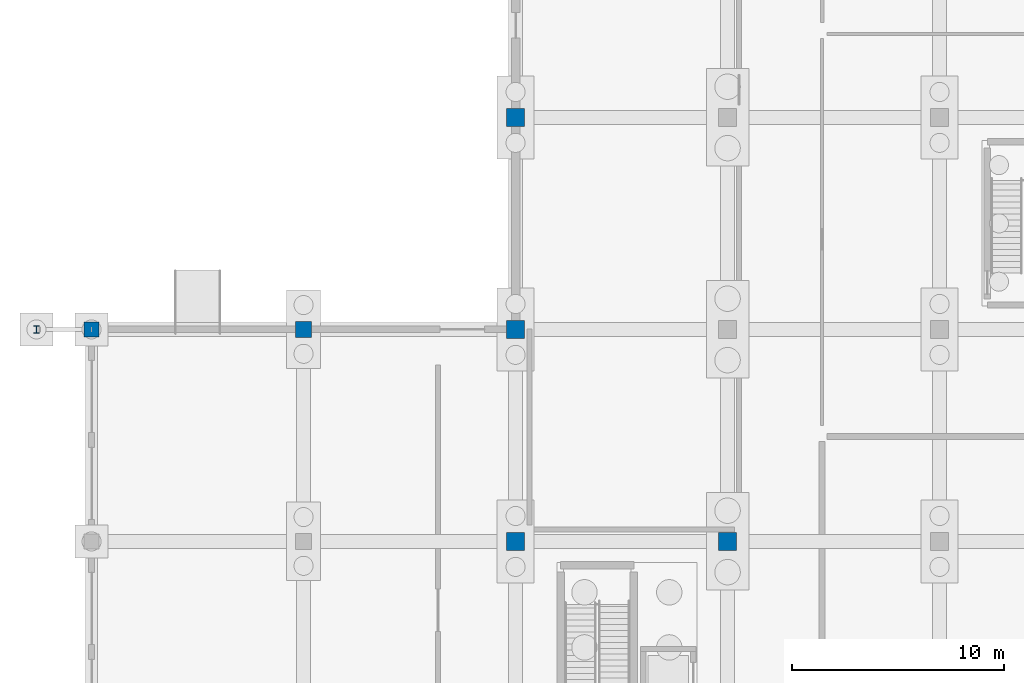
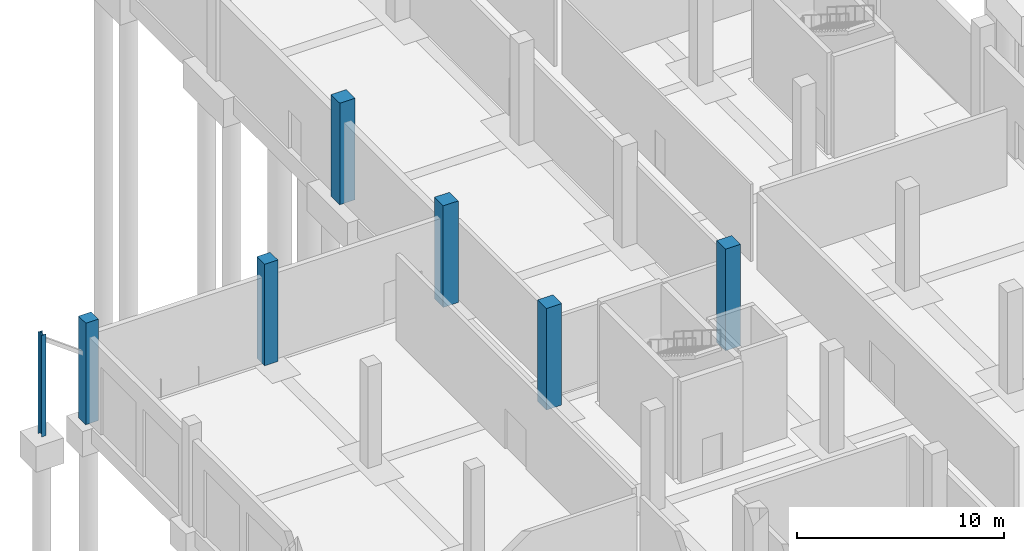
# One storey, part 20 of 140: 7 columns.
"""IFC4 building model written with IfcOpenShell, lengths in metres."""

from ifc_helpers import new_model, si_unit, direction, frame, origin, origin_2d, place, context, subcontext, project, spatial, rectangle, i_section, extrude, material, material_profile, profile_set, type_object, element, save


model = new_model("IFC4")

# Units and contexts
model_context = context("Model", 3, precision=1e-05, world=origin(), true_north=direction((0.0, 1.0)))
body_context = subcontext(model_context, "Body", "Model", "MODEL_VIEW")
ifc_project = project(units=[si_unit("LENGTHUNIT", "METRE"), si_unit("AREAUNIT", "SQUARE_METRE"), si_unit("VOLUMEUNIT", "CUBIC_METRE"), si_unit("PLANEANGLEUNIT", "RADIAN"), si_unit("MASSUNIT", "GRAM", prefix="KILO")], contexts=[model_context])

# Site, building, storey
site_placement = place(None, origin())
site = spatial("IfcSite", under=ifc_project, at=site_placement, CompositionType="ELEMENT")
building_placement = place(site_placement, origin())
building = spatial("IfcBuilding", under=site, at=building_placement, Name="Corvandel Quay Wholesale Market", CompositionType="ELEMENT")
storey_placement = place(building_placement, origin())
storey = spatial("IfcBuildingStorey", under=building, at=storey_placement, Name="L00", CompositionType="ELEMENT", Elevation=0.0)

# Columns
ifc_material_1 = material(Name="Precast concrete C45/55", Category="concrete")
ifc_material_profile_1 = material_profile(ifc_material_1, rectangle(XDim=0.85009765625, YDim=0.85009765625, at=origin_2d()), Name="PC-COL-850x850")
ifc_profile_set_1 = profile_set([ifc_material_profile_1], Name="Precast concrete C45/55")
column_type_1 = type_object("IfcColumnType", Name="Precast Column C01 850x850", PredefinedType="COLUMN", material=ifc_profile_set_1)
for number, where, z_axis, x_axis, name in (
    (1, (20.0, 100.0, 0.0), (0.0, 0.0, 1.0), (1.0, 0.0, 0.0), "Column COL-0638"),
    (2, (20.0, 110.0, 0.0), (0.0, 0.0, 1.0), (1.0, 0.0, 0.0), "Column COL-0641"),
    (3, (20.0, 120.0, 0.0), (0.0, 0.0, 1.0), (1.0, 0.0, 0.0), "Column COL-0644"),
    (4, (30.0, 100.0, 0.0), (0.0, 0.0, 1.0), (1.0, 0.0, 0.0), "Column COL-0678"),
):
    element("IfcColumn", number, at=place(storey_placement, frame(where, z_axis=z_axis, x_axis=x_axis)), inside=storey, type_object=column_type_1, Name=name, PredefinedType="COLUMN", context=body_context, shape_type="SweptSolid", body=[
        extrude(rectangle(XDim=0.85009765625, YDim=0.85009765625, at=origin_2d()), origin(), (0.0, 0.0, 1.0), 6.0),
    ])
ifc_material_profile_2 = material_profile(ifc_material_1, rectangle(XDim=0.75, YDim=0.75, at=origin_2d()), Name="PC-COL-750x750")
ifc_profile_set_2 = profile_set([ifc_material_profile_2], Name="Precast concrete C45/55")
column_type_2 = type_object("IfcColumnType", Name="Precast Column C03 750x750", PredefinedType="COLUMN", material=ifc_profile_set_2)
column_1_placement = place(storey_placement, frame((10.0, 110.0, 0.0), z_axis=(0.0, 0.0, 1.0), x_axis=(1.0, 0.0, 0.0)))
element("IfcColumn", 5, at=column_1_placement, inside=storey, type_object=column_type_2, Name="Column COL-0610", PredefinedType="COLUMN", context=body_context, shape_type="SweptSolid", body=[
    extrude(rectangle(XDim=0.75, YDim=0.75, at=origin_2d()), origin(), (0.0, 0.0, 1.0), 6.0),
])
ifc_material_profile_3 = material_profile(ifc_material_1, rectangle(XDim=0.699951171875, YDim=0.699951171875, at=origin_2d()), Name="PC-COL-700x700")
ifc_profile_set_3 = profile_set([ifc_material_profile_3], Name="Precast concrete C45/55")
column_type_3 = type_object("IfcColumnType", Name="Precast Column C04 700x700", PredefinedType="COLUMN", material=ifc_profile_set_3)
column_2_placement = place(storey_placement, frame((0.0, 110.0, 0.0), z_axis=(0.0, 0.0, 1.0), x_axis=(1.0, 0.0, 0.0)))
element("IfcColumn", 6, at=column_2_placement, inside=storey, type_object=column_type_3, Name="Column COL-0599", PredefinedType="COLUMN", context=body_context, shape_type="SweptSolid", body=[
    extrude(rectangle(XDim=0.699951171875, YDim=0.699951171875, at=origin_2d()), origin(), (0.0, 0.0, 1.0), 6.0),
])
ifc_material_2 = material(Name="Steel A992 Grade 50", Category="steel")
ifc_material_profile_4 = material_profile(ifc_material_2, i_section(OverallWidth=0.2548828125, OverallDepth=0.35693359375, WebThickness=0.010498046875, FlangeThickness=0.018310546875, at=origin_2d()), Name="W14X68")
ifc_profile_set_4 = profile_set([ifc_material_profile_4], Name="Steel A992 Grade 50")
column_type_4 = type_object("IfcColumnType", Name="Steel Canopy Column C13 W14X68", PredefinedType="COLUMN", material=ifc_profile_set_4)
column_3_placement = place(storey_placement, frame((-2.60009765625, 110.0, 0.0), z_axis=(0.0, 0.0, 1.0), x_axis=(1.0, 0.0, 0.0)))
element("IfcColumn", 7, at=column_3_placement, inside=storey, type_object=column_type_4, Name="Column COL-0588", PredefinedType="COLUMN", context=body_context, shape_type="SweptSolid", body=[
    extrude(i_section(OverallWidth=0.2548828125, OverallDepth=0.35693359375, WebThickness=0.010498046875, FlangeThickness=0.018310546875, at=origin_2d()), origin(), (0.0, 0.0, 1.0), 6.0),
])

save(model, "model.ifc")
